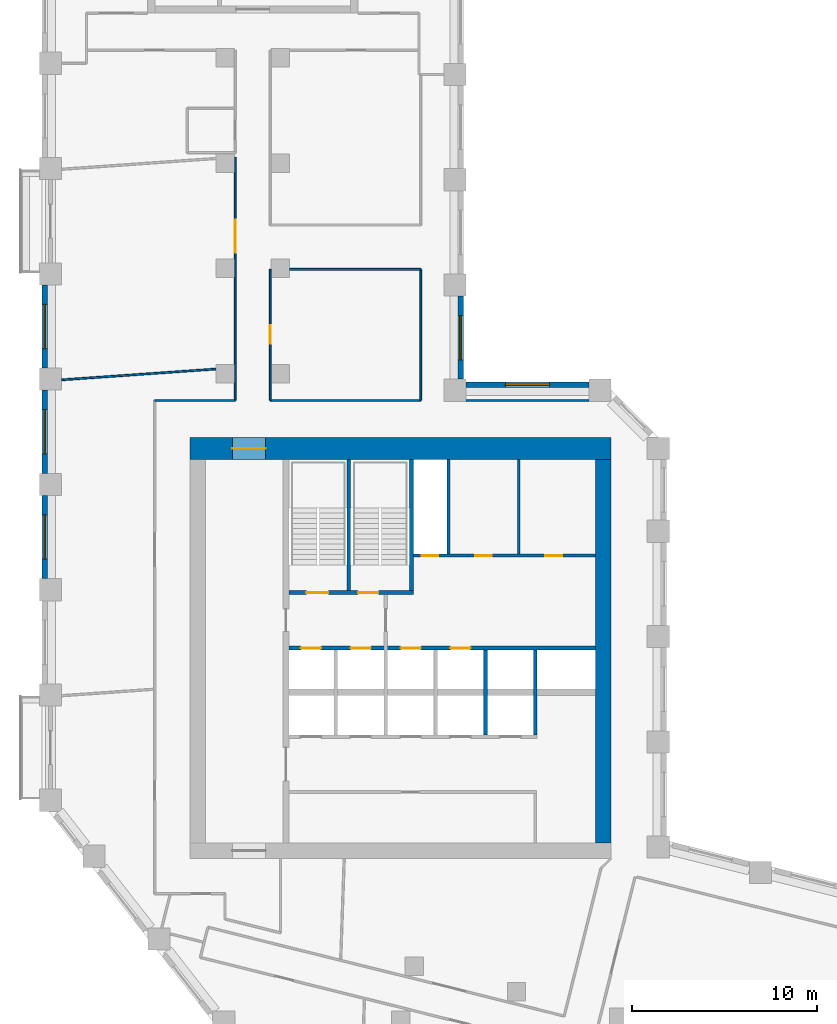
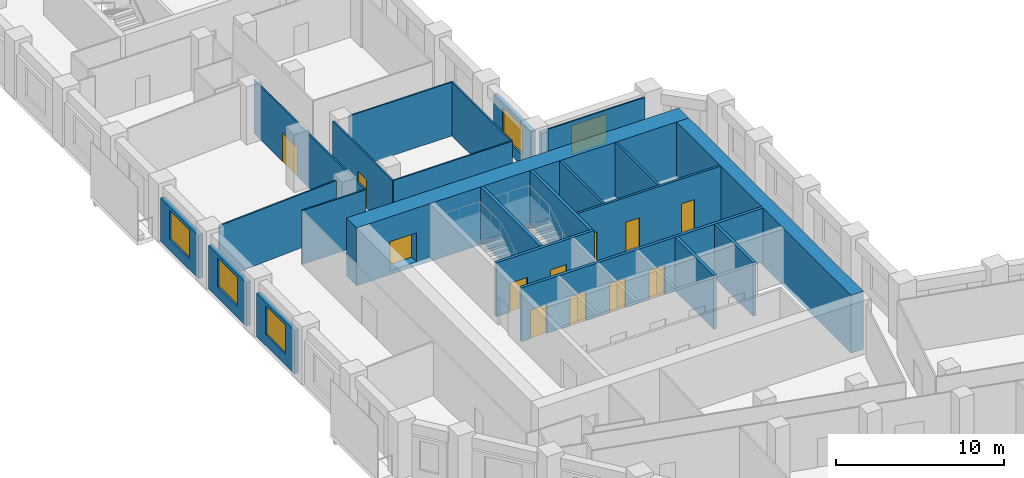
# One storey, part 5 of 10: 24 walls, 12 doors, 5 windows, 17 openings.
"""IFC4 building model written with IfcOpenShell, lengths in metres."""

from ifc_helpers import new_model, si_unit, direction, frame, frame_2d, origin, place, context, subcontext, project, spatial, rectangle, extrude, material, layer, layer_set, type_object, element, fill, save


model = new_model("IFC4")

# Units and contexts
model_context = context("Model", 3, precision=1e-05, world=origin(), true_north=direction((0.0, 1.0)))
body_context = subcontext(model_context, "Body", "Model", "MODEL_VIEW")
ifc_project = project(units=[si_unit("LENGTHUNIT", "METRE"), si_unit("AREAUNIT", "SQUARE_METRE"), si_unit("VOLUMEUNIT", "CUBIC_METRE"), si_unit("PLANEANGLEUNIT", "RADIAN"), si_unit("MASSUNIT", "GRAM", prefix="KILO")], contexts=[model_context])

# Site, building, storey
site_placement = place(None, origin())
site = spatial("IfcSite", under=ifc_project, at=site_placement, CompositionType="ELEMENT")
building_placement = place(site_placement, origin())
building = spatial("IfcBuilding", under=site, at=building_placement, Name="Meshkara Civic Tower", CompositionType="ELEMENT")
storey_placement = place(building_placement, frame((0.0, 0.0, 169.800048828125)))
storey = spatial("IfcBuildingStorey", under=building, at=storey_placement, Name="L38", CompositionType="ELEMENT", Elevation=169.800048828125)

# Wall, openings, doors
ifc_material_1 = material(Name="Blockwork", Category="masonry")
ifc_layer_1 = layer(ifc_material_1, 0.14990234375)
ifc_layer_set_1 = layer_set([ifc_layer_1], Name="Core partition 150")
wall_type_1 = type_object("IfcWallType", Name="Core partition 150", PredefinedType="PARTITIONING", material=ifc_layer_set_1)
wall_1_placement = place(storey_placement, frame((20.10009765625, 30.5, 0.0), z_axis=(0.0, 0.0, 1.0), x_axis=(1.0, 0.0, 0.0)))
wall_1 = element("IfcWall", 1, at=wall_1_placement, inside=storey, type_object=wall_type_1, Name="L38-C010", PredefinedType="PARTITIONING", context=body_context, shape_type="SweptSolid", body=[
    extrude(rectangle(XDim=9.849853515625, YDim=0.14990234375, at=frame_2d((4.9248046875, 0.0))), origin(), (0.0, 0.0, 1.0), 3.89990234375),
])
opening_1_placement = place(wall_1_placement, frame((0.449951171875, 0.0, 0.0)))
opening_1 = element("IfcOpeningElement", 2, at=opening_1_placement, cuts=wall_1, Name="Opening L38-K011", PredefinedType="OPENING", context=body_context, shape_type="SweptSolid", body=[
    extrude(rectangle(XDim=0.89990234375, YDim=2.10009765625, at=frame_2d((0.449951171875, 1.050048828125))), frame((0.0, 0.0849609375, 0.0), z_axis=(0.0, -1.0, 0.0), x_axis=(1.0, 0.0, 0.0)), (0.0, 0.0, 1.0), 0.169921875),
])
opening_2_placement = place(wall_1_placement, frame((3.35009765625, 0.0, 0.0)))
opening_2 = element("IfcOpeningElement", 3, at=opening_2_placement, cuts=wall_1, Name="Opening L38-K012", PredefinedType="OPENING", context=body_context, shape_type="SweptSolid", body=[
    extrude(rectangle(XDim=0.89990234375, YDim=2.10009765625, at=frame_2d((0.449951171875, 1.050048828125))), frame((0.0, 0.0849609375, 0.0), z_axis=(0.0, -1.0, 0.0), x_axis=(1.0, 0.0, 0.0)), (0.0, 0.0, 1.0), 0.169921875),
])
opening_3_placement = place(wall_1_placement, frame((7.14990234375, 0.0, 0.0)))
opening_3 = element("IfcOpeningElement", 4, at=opening_3_placement, cuts=wall_1, Name="Opening L38-K013", PredefinedType="OPENING", context=body_context, shape_type="SweptSolid", body=[
    extrude(rectangle(XDim=0.89990234375, YDim=2.10009765625, at=frame_2d((0.449951171875, 1.050048828125))), frame((0.0, 0.0849609375, 0.0), z_axis=(0.0, -1.0, 0.0), x_axis=(1.0, 0.0, 0.0)), (0.0, 0.0, 1.0), 0.169921875),
])
ifc_material_2 = material(Name="Timber door leaf in steel frame", Category="steel")
door_type_1 = type_object("IfcDoorType", Name="Core room door 900", OperationType="SINGLE_SWING_LEFT", PredefinedType="DOOR", material=ifc_material_2)
door_1_placement = place(opening_2_placement, origin())
door_1 = element("IfcDoor", 5, at=door_1_placement, inside=storey, type_object=door_type_1, Name="L38-K012", OperationType="SINGLE_SWING_RIGHT", OverallHeight=2.10009765625, OverallWidth=0.89990234375, PredefinedType="DOOR", context=body_context, shape_type="SweptSolid", body=[
    extrude(rectangle(XDim=0.89990234375, YDim=2.10009765625, at=frame_2d((0.449951171875, 1.050048828125))), frame((0.0, 0.02490234375, 0.0), z_axis=(0.0, -1.0, 0.0), x_axis=(1.0, 0.0, 0.0)), (0.0, 0.0, 1.0), 0.050048828125),
])
fill(opening_2, door_1)
ifc_material_3 = material(Name="Fire-rated door leaf in steel frame", Category="steel")
door_type_2 = type_object("IfcDoorType", Name="Riser door 900", OperationType="SINGLE_SWING_LEFT", PredefinedType="DOOR", material=ifc_material_3)
door_2_placement = place(opening_1_placement, origin())
door_2 = element("IfcDoor", 6, at=door_2_placement, inside=storey, type_object=door_type_2, Name="L38-K011", OperationType="SINGLE_SWING_RIGHT", OverallHeight=2.10009765625, OverallWidth=0.89990234375, PredefinedType="DOOR", context=body_context, shape_type="SweptSolid", body=[
    extrude(rectangle(XDim=0.89990234375, YDim=2.10009765625, at=frame_2d((0.449951171875, 1.050048828125))), frame((0.0, 0.02490234375, 0.0), z_axis=(0.0, -1.0, 0.0), x_axis=(1.0, 0.0, 0.0)), (0.0, 0.0, 1.0), 0.050048828125),
])
fill(opening_1, door_2)
ifc_material_4 = material(Name="Timber door leaf in steel frame", Category="steel")
door_type_3 = type_object("IfcDoorType", Name="WC door 900", OperationType="SINGLE_SWING_LEFT", PredefinedType="DOOR", material=ifc_material_4)
door_3_placement = place(opening_3_placement, origin())
door_3 = element("IfcDoor", 7, at=door_3_placement, inside=storey, type_object=door_type_3, Name="L38-K013", OperationType="SINGLE_SWING_LEFT", OverallHeight=2.10009765625, OverallWidth=0.89990234375, PredefinedType="DOOR", context=body_context, shape_type="SweptSolid", body=[
    extrude(rectangle(XDim=0.89990234375, YDim=2.10009765625, at=frame_2d((0.449951171875, 1.050048828125))), frame((0.0, 0.02490234375, 0.0), z_axis=(0.0, -1.0, 0.0), x_axis=(1.0, 0.0, 0.0)), (0.0, 0.0, 1.0), 0.050048828125),
])
fill(opening_3, door_3)

# Walls
for number, where, z_axis, x_axis, name in (
    (8, (22.0, 30.574951171875, 0.0), (0.0, 0.0, 1.0), (0.0, 1.0, 0.0), "L38-C017"),
    (9, (25.800048828125, 30.574951171875, 0.0), (0.0, 0.0, 1.0), (0.0, 1.0, 0.0), "L38-C019"),
):
    element("IfcWall", number, at=place(storey_placement, frame(where, z_axis=z_axis, x_axis=x_axis)), inside=storey, type_object=wall_type_1, Name=name, PredefinedType="PARTITIONING", context=body_context, shape_type="SweptSolid", body=[
        extrude(rectangle(XDim=5.125, YDim=0.14990234375, at=frame_2d((2.5625, 0.0))), origin(), (0.0, 0.0, 1.0), 3.89990234375),
    ])

# Wall, opening, door
ifc_material_5 = material(Name="Concrete C70", Category="concrete")
ifc_layer_2 = layer(ifc_material_5, 1.199951171875)
ifc_layer_set_2 = layer_set([ifc_layer_2], Name="Core ring wall 1200 C70")
wall_type_2 = type_object("IfcWallType", Name="Core ring wall 1200 C70", PredefinedType="SHEAR", material=ifc_layer_set_2)
wall_2_placement = place(storey_placement, frame((8.0, 36.300048828125, -0.300048828125), z_axis=(0.0, 0.0, 1.0), x_axis=(1.0, 0.0, 0.0)))
wall_2 = element("IfcWall", 10, at=wall_2_placement, inside=storey, type_object=wall_type_2, Name="L38-C002", PredefinedType="SHEAR", context=body_context, shape_type="SweptSolid", body=[
    extrude(rectangle(XDim=22.800048828125, YDim=1.199951171875, at=frame_2d((11.39990234375, 0.0))), origin(), (0.0, 0.0, 1.0), 4.199951171875),
])
opening_4_placement = place(wall_2_placement, frame((2.300048828125, 0.0, 0.300048828125)))
opening_4 = element("IfcOpeningElement", 11, at=opening_4_placement, cuts=wall_2, Name="Opening L38-K019", PredefinedType="OPENING", context=body_context, shape_type="SweptSolid", body=[
    extrude(rectangle(XDim=1.800048828125, YDim=2.10009765625, at=frame_2d((0.89990234375, 1.050048828125))), frame((0.0, 0.60986328125, 0.0), z_axis=(0.0, -1.0, 0.0), x_axis=(1.0, 0.0, 0.0)), (0.0, 0.0, 1.0), 1.219970703125),
])
ifc_material_6 = material(Name="Fire-rated door leaf in steel frame", Category="steel")
door_type_4 = type_object("IfcDoorType", Name="Core double door 1800 EI 60", OperationType="DOUBLE_DOOR_SINGLE_SWING", PredefinedType="DOOR", material=ifc_material_6)
door_4_placement = place(opening_4_placement, origin())
door_4 = element("IfcDoor", 12, at=door_4_placement, inside=storey, type_object=door_type_4, Name="L38-K019", OperationType="DOUBLE_DOOR_SINGLE_SWING", OverallHeight=2.10009765625, OverallWidth=1.800048828125, PredefinedType="DOOR", context=body_context, shape_type="SweptSolid", body=[
    extrude(rectangle(XDim=1.800048828125, YDim=2.10009765625, at=frame_2d((0.89990234375, 1.050048828125))), frame((0.0, 0.02490234375, 0.0), z_axis=(0.0, -1.0, 0.0), x_axis=(1.0, 0.0, 0.0)), (0.0, 0.0, 1.0), 0.050048828125),
])
fill(opening_4, door_4)

# Wall
ifc_material_7 = material(Name="Concrete C70", Category="concrete")
ifc_layer_3 = layer(ifc_material_7, 0.85009765625)
ifc_layer_set_3 = layer_set([ifc_layer_3], Name="Core ring wall 850 C70")
wall_type_3 = type_object("IfcWallType", Name="Core ring wall 850 C70", PredefinedType="SHEAR", material=ifc_layer_set_3)
wall_3_placement = place(storey_placement, frame((30.375, 14.949951171875, -0.300048828125), z_axis=(0.0, 0.0, 1.0), x_axis=(0.0, 1.0, 0.0)))
element("IfcWall", 13, at=wall_3_placement, inside=storey, type_object=wall_type_3, Name="L38-C004", PredefinedType="SHEAR", context=body_context, shape_type="SweptSolid", body=[
    extrude(rectangle(XDim=20.75, YDim=0.85009765625, at=frame_2d((10.375, 0.0))), origin(), (0.0, 0.0, 1.0), 4.199951171875),
])

# Wall, opening, door
ifc_material_8 = material(Name="Corridor wall 100")
ifc_layer_4 = layer(ifc_material_8, 0.10009765625)
ifc_layer_set_4 = layer_set([ifc_layer_4], Name="Corridor wall 100")
wall_type_4 = type_object("IfcWallType", Name="Corridor wall 100", PredefinedType="PARTITIONING", material=ifc_layer_set_4)
wall_4_placement = place(storey_placement, frame((10.449951171875, 38.89990234375, 0.0), z_axis=(0.0, 0.0, 1.0), x_axis=(0.0, 1.0, 0.0)))
wall_4 = element("IfcWall", 14, at=wall_4_placement, inside=storey, type_object=wall_type_4, Name="L38-W011", PredefinedType="PARTITIONING", context=body_context, shape_type="SweptSolid", body=[
    extrude(rectangle(XDim=13.174072265625, YDim=0.10009765625, at=frame_2d((6.5869140625, 0.0))), origin(), (0.0, 0.0, 1.0), 3.89990234375),
])
opening_5_placement = place(wall_4_placement, frame((7.993896484375, 0.0, 0.0)))
opening_5 = element("IfcOpeningElement", 15, at=opening_5_placement, cuts=wall_4, Name="Opening L38-D017", PredefinedType="OPENING", context=body_context, shape_type="SweptSolid", body=[
    extrude(rectangle(XDim=1.800048828125, YDim=2.10009765625, at=frame_2d((0.89990234375, 1.050048828125))), frame((0.0, 0.06005859375, 0.0), z_axis=(0.0, -1.0, 0.0), x_axis=(1.0, 0.0, 0.0)), (0.0, 0.0, 1.0), 0.1201171875),
])
ifc_material_9 = material(Name="Door pair 1800 x 2100")
door_type_5 = type_object("IfcDoorType", Name="Door pair 1800 x 2100", OperationType="SINGLE_SWING_LEFT", PredefinedType="DOOR", material=ifc_material_9)
door_5_placement = place(opening_5_placement, origin())
door_5 = element("IfcDoor", 16, at=door_5_placement, inside=storey, type_object=door_type_5, Name="L38-D017", OperationType="DOUBLE_DOOR_SINGLE_SWING", OverallHeight=2.10009765625, OverallWidth=1.800048828125, PredefinedType="DOOR", context=body_context, shape_type="SweptSolid", body=[
    extrude(rectangle(XDim=1.800048828125, YDim=2.10009765625, at=frame_2d((0.89990234375, 1.050048828125))), frame((0.0, 0.02490234375, 0.0), z_axis=(0.0, -1.0, 0.0), x_axis=(1.0, 0.0, 0.0)), (0.0, 0.0, 1.0), 0.050048828125),
])
fill(opening_5, door_5)

# Wall
wall_5_placement = place(storey_placement, frame((10.449951171875, 38.89990234375, 0.0), z_axis=(0.0, 0.0, 1.0), x_axis=(-1.0, 0.0, 0.0)))
element("IfcWall", 17, at=wall_5_placement, inside=storey, type_object=wall_type_4, Name="L38-W012", PredefinedType="PARTITIONING", context=body_context, shape_type="SweptSolid", body=[
    extrude(rectangle(XDim=4.349853515625, YDim=0.10009765625, at=frame_2d((2.1748046875, 0.0))), origin(), (0.0, 0.0, 1.0), 3.89990234375),
])

# Wall, opening, door
wall_6_placement = place(storey_placement, frame((12.35009765625, 38.89990234375, 0.0), z_axis=(0.0, 0.0, 1.0), x_axis=(0.0, 1.0, 0.0)))
wall_6 = element("IfcWall", 18, at=wall_6_placement, inside=storey, type_object=wall_type_4, Name="L38-W014", PredefinedType="PARTITIONING", context=body_context, shape_type="SweptSolid", body=[
    extrude(rectangle(XDim=7.09619140625, YDim=0.10009765625, at=frame_2d((3.548095703125, 0.0))), origin(), (0.0, 0.0, 1.0), 3.89990234375),
])
opening_6_placement = place(wall_6_placement, frame((3.080078125, 0.0, 0.0)))
opening_6 = element("IfcOpeningElement", 19, at=opening_6_placement, cuts=wall_6, Name="Opening L38-D018", PredefinedType="OPENING", context=body_context, shape_type="SweptSolid", body=[
    extrude(rectangle(XDim=1.0, YDim=2.10009765625, at=frame_2d((0.5, 1.050048828125))), frame((0.0, 0.06005859375, 0.0), z_axis=(0.0, -1.0, 0.0), x_axis=(1.0, 0.0, 0.0)), (0.0, 0.0, 1.0), 0.1201171875),
])
ifc_material_10 = material(Name="Door 1000 x 2100")
door_type_6 = type_object("IfcDoorType", Name="Door 1000 x 2100", OperationType="SINGLE_SWING_LEFT", PredefinedType="DOOR", material=ifc_material_10)
door_6_placement = place(opening_6_placement, origin())
door_6 = element("IfcDoor", 20, at=door_6_placement, inside=storey, type_object=door_type_6, Name="L38-D018", OperationType="SINGLE_SWING_LEFT", OverallHeight=2.10009765625, OverallWidth=1.0, PredefinedType="DOOR", context=body_context, shape_type="SweptSolid", body=[
    extrude(rectangle(XDim=1.0, YDim=2.10009765625, at=frame_2d((0.5, 1.050048828125))), frame((0.0, 0.02490234375, 0.0), z_axis=(0.0, -1.0, 0.0), x_axis=(1.0, 0.0, 0.0)), (0.0, 0.0, 1.0), 0.050048828125),
])
fill(opening_6, door_6)

# Walls
wall_7_placement = place(storey_placement, frame((13.39990234375, 46.0, 0.0), z_axis=(0.0, 0.0, 1.0), x_axis=(1.0, 0.0, 0.0)))
element("IfcWall", 21, at=wall_7_placement, inside=storey, type_object=wall_type_4, Name="L38-W017", PredefinedType="PARTITIONING", context=body_context, shape_type="SweptSolid", body=[
    extrude(rectangle(XDim=7.10009765625, YDim=0.10009765625, at=frame_2d((3.550048828125, 0.0))), origin(), (0.0, 0.0, 1.0), 3.89990234375),
])
wall_8_placement = place(storey_placement, frame((20.5, 38.89990234375, 0.0), z_axis=(0.0, 0.0, 1.0), x_axis=(-1.0, 0.0, 0.0)))
element("IfcWall", 22, at=wall_8_placement, inside=storey, type_object=wall_type_4, Name="L38-W021", PredefinedType="PARTITIONING", context=body_context, shape_type="SweptSolid", body=[
    extrude(rectangle(XDim=8.14990234375, YDim=0.10009765625, at=frame_2d((4.074951171875, 0.0))), origin(), (0.0, 0.0, 1.0), 3.89990234375),
])
wall_9_placement = place(storey_placement, frame((20.5, 46.0, 0.0), z_axis=(0.0, 0.0, 1.0), x_axis=(0.0, -1.0, 0.0)))
element("IfcWall", 23, at=wall_9_placement, inside=storey, type_object=wall_type_4, Name="L38-W022", PredefinedType="PARTITIONING", context=body_context, shape_type="SweptSolid", body=[
    extrude(rectangle(XDim=7.10009765625, YDim=0.10009765625, at=frame_2d((3.550048828125, 0.0))), origin(), (0.0, 0.0, 1.0), 3.89990234375),
])
wall_10_placement = place(storey_placement, frame((29.593994140625, 38.89990234375, 0.0), z_axis=(0.0, 0.0, 1.0), x_axis=(-1.0, 0.0, 0.0)))
element("IfcWall", 24, at=wall_10_placement, inside=storey, type_object=wall_type_4, Name="L38-W026", PredefinedType="PARTITIONING", context=body_context, shape_type="SweptSolid", body=[
    extrude(rectangle(XDim=6.64404296875, YDim=0.10009765625, at=frame_2d((3.322021484375, 0.0))), origin(), (0.0, 0.0, 1.0), 3.89990234375),
])

# Wall, opening, window
ifc_material_11 = material(Name="Insulated infill panel with bronze anodised aluminium cladding", Category="aluminium")
ifc_layer_5 = layer(ifc_material_11, 0.300048828125)
ifc_layer_set_5 = layer_set([ifc_layer_5], Name="EXTERNAL INFILL WALL 300")
wall_type_5 = type_object("IfcWallType", Name="EXTERNAL INFILL WALL 300", PredefinedType="SOLIDWALL", material=ifc_layer_set_5)
wall_11_placement = place(storey_placement, frame((29.593994140625, 39.75, 0.0), z_axis=(0.0, 0.0, 1.0), x_axis=(-1.0, 0.0, 0.0)))
wall_11 = element("IfcWall", 25, at=wall_11_placement, inside=storey, type_object=wall_type_5, Name="External wall", PredefinedType="SOLIDWALL", context=body_context, shape_type="SweptSolid", body=[
    extrude(rectangle(XDim=6.64404296875, YDim=0.300048828125, at=frame_2d((3.322021484375, 0.0))), origin(), (0.0, 0.0, 1.0), 3.14990234375),
])
opening_7_placement = place(wall_11_placement, frame((2.1220703125, 0.0, 0.800048828125)))
opening_7 = element("IfcOpeningElement", 26, at=opening_7_placement, cuts=wall_11, Name="Opening W7", PredefinedType="OPENING", context=body_context, shape_type="SweptSolid", body=[
    extrude(rectangle(XDim=2.39990234375, YDim=2.10009765625, at=frame_2d((1.199951171875, 1.050048828125))), frame((0.0, 0.159912109375, 0.0), z_axis=(0.0, -1.0, 0.0), x_axis=(1.0, 0.0, 0.0)), (0.0, 0.0, 1.0), 0.320068359375),
])
ifc_material_12 = material(Name="Tinted double glazing", Category="glass")
window_type = type_object("IfcWindowType", Name="WINDOW 2400x2100", PartitioningType="DOUBLE_PANEL_VERTICAL", PredefinedType="WINDOW", material=ifc_material_12)
window_1_placement = place(opening_7_placement, origin())
window_1 = element("IfcWindow", 27, at=window_1_placement, inside=storey, type_object=window_type, Name="Window", OverallHeight=2.10009765625, OverallWidth=2.39990234375, PartitioningType="DOUBLE_PANEL_VERTICAL", PredefinedType="WINDOW", context=body_context, shape_type="SweptSolid", body=[
    extrude(rectangle(XDim=2.39990234375, YDim=2.10009765625, at=frame_2d((1.199951171875, 1.050048828125))), frame((0.0, 0.030029296875, 0.0), z_axis=(0.0, -1.0, 0.0), x_axis=(1.0, 0.0, 0.0)), (0.0, 0.0, 1.0), 0.06005859375),
])
fill(opening_7, window_1)

wall_12_placement = place(storey_placement, frame((22.64990234375, 40.050048828125, 0.0), z_axis=(0.0, 0.0, 1.0), x_axis=(0.0, 1.0, 0.0)))
wall_12 = element("IfcWall", 28, at=wall_12_placement, inside=storey, type_object=wall_type_5, Name="External wall", PredefinedType="SOLIDWALL", context=body_context, shape_type="SweptSolid", body=[
    extrude(rectangle(XDim=4.5, YDim=0.300048828125, at=frame_2d((2.25, 0.0))), origin(), (0.0, 0.0, 1.0), 3.14990234375),
])
opening_8_placement = place(wall_12_placement, frame((1.050048828125, 0.0, 0.800048828125)))
opening_8 = element("IfcOpeningElement", 29, at=opening_8_placement, cuts=wall_12, Name="Opening W7", PredefinedType="OPENING", context=body_context, shape_type="SweptSolid", body=[
    extrude(rectangle(XDim=2.39990234375, YDim=2.10009765625, at=frame_2d((1.199951171875, 1.050048828125))), frame((0.0, 0.159912109375, 0.0), z_axis=(0.0, -1.0, 0.0), x_axis=(1.0, 0.0, 0.0)), (0.0, 0.0, 1.0), 0.320068359375),
])
window_2_placement = place(opening_8_placement, origin())
window_2 = element("IfcWindow", 30, at=window_2_placement, inside=storey, type_object=window_type, Name="Window", OverallHeight=2.10009765625, OverallWidth=2.39990234375, PartitioningType="DOUBLE_PANEL_VERTICAL", PredefinedType="WINDOW", context=body_context, shape_type="SweptSolid", body=[
    extrude(rectangle(XDim=2.39990234375, YDim=2.10009765625, at=frame_2d((1.199951171875, 1.050048828125))), frame((0.0, 0.030029296875, 0.0), z_axis=(0.0, -1.0, 0.0), x_axis=(1.0, 0.0, 0.0)), (0.0, 0.0, 1.0), 0.06005859375),
])
fill(opening_8, window_2)

wall_13_placement = place(storey_placement, frame((0.14990234375, 45.155029296875, 0.0), z_axis=(0.0, 0.0, 1.0), x_axis=(0.0, -1.0, 0.0)))
wall_13 = element("IfcWall", 31, at=wall_13_placement, inside=storey, type_object=wall_type_5, Name="External wall", PredefinedType="SOLIDWALL", context=body_context, shape_type="SweptSolid", body=[
    extrude(rectangle(XDim=4.5, YDim=0.300048828125, at=frame_2d((2.25, 0.0))), origin(), (0.0, 0.0, 1.0), 3.14990234375),
])
opening_9_placement = place(wall_13_placement, frame((1.050048828125, 0.0, 0.800048828125)))
opening_9 = element("IfcOpeningElement", 32, at=opening_9_placement, cuts=wall_13, Name="Opening W7", PredefinedType="OPENING", context=body_context, shape_type="SweptSolid", body=[
    extrude(rectangle(XDim=2.39990234375, YDim=2.10009765625, at=frame_2d((1.199951171875, 1.050048828125))), frame((0.0, 0.159912109375, 0.0), z_axis=(0.0, -1.0, 0.0), x_axis=(1.0, 0.0, 0.0)), (0.0, 0.0, 1.0), 0.320068359375),
])
window_3_placement = place(opening_9_placement, origin())
window_3 = element("IfcWindow", 33, at=window_3_placement, inside=storey, type_object=window_type, Name="Window", OverallHeight=2.10009765625, OverallWidth=2.39990234375, PartitioningType="DOUBLE_PANEL_VERTICAL", PredefinedType="WINDOW", context=body_context, shape_type="SweptSolid", body=[
    extrude(rectangle(XDim=2.39990234375, YDim=2.10009765625, at=frame_2d((1.199951171875, 1.050048828125))), frame((0.0, 0.030029296875, 0.0), z_axis=(0.0, -1.0, 0.0), x_axis=(1.0, 0.0, 0.0)), (0.0, 0.0, 1.0), 0.06005859375),
])
fill(opening_9, window_3)

wall_14_placement = place(storey_placement, frame((0.14990234375, 39.455078125, 0.0), z_axis=(0.0, 0.0, 1.0), x_axis=(0.0, -1.0, 0.0)))
wall_14 = element("IfcWall", 34, at=wall_14_placement, inside=storey, type_object=wall_type_5, Name="External wall", PredefinedType="SOLIDWALL", context=body_context, shape_type="SweptSolid", body=[
    extrude(rectangle(XDim=4.5, YDim=0.300048828125, at=frame_2d((2.25, 0.0))), origin(), (0.0, 0.0, 1.0), 3.14990234375),
])
opening_10_placement = place(wall_14_placement, frame((1.050048828125, 0.0, 0.800048828125)))
opening_10 = element("IfcOpeningElement", 35, at=opening_10_placement, cuts=wall_14, Name="Opening W7", PredefinedType="OPENING", context=body_context, shape_type="SweptSolid", body=[
    extrude(rectangle(XDim=2.39990234375, YDim=2.10009765625, at=frame_2d((1.199951171875, 1.050048828125))), frame((0.0, 0.159912109375, 0.0), z_axis=(0.0, -1.0, 0.0), x_axis=(1.0, 0.0, 0.0)), (0.0, 0.0, 1.0), 0.320068359375),
])
window_4_placement = place(opening_10_placement, origin())
window_4 = element("IfcWindow", 36, at=window_4_placement, inside=storey, type_object=window_type, Name="Window", OverallHeight=2.10009765625, OverallWidth=2.39990234375, PartitioningType="DOUBLE_PANEL_VERTICAL", PredefinedType="WINDOW", context=body_context, shape_type="SweptSolid", body=[
    extrude(rectangle(XDim=2.39990234375, YDim=2.10009765625, at=frame_2d((1.199951171875, 1.050048828125))), frame((0.0, 0.030029296875, 0.0), z_axis=(0.0, -1.0, 0.0), x_axis=(1.0, 0.0, 0.0)), (0.0, 0.0, 1.0), 0.06005859375),
])
fill(opening_10, window_4)

wall_15_placement = place(storey_placement, frame((0.14990234375, 33.7548828125, 0.0), z_axis=(0.0, 0.0, 1.0), x_axis=(0.0, -1.0, 0.0)))
wall_15 = element("IfcWall", 37, at=wall_15_placement, inside=storey, type_object=wall_type_5, Name="External wall", PredefinedType="SOLIDWALL", context=body_context, shape_type="SweptSolid", body=[
    extrude(rectangle(XDim=4.5, YDim=0.300048828125, at=frame_2d((2.25, 0.0))), origin(), (0.0, 0.0, 1.0), 3.14990234375),
])
opening_11_placement = place(wall_15_placement, frame((1.050048828125, 0.0, 0.800048828125)))
opening_11 = element("IfcOpeningElement", 38, at=opening_11_placement, cuts=wall_15, Name="Opening W7", PredefinedType="OPENING", context=body_context, shape_type="SweptSolid", body=[
    extrude(rectangle(XDim=2.39990234375, YDim=2.10009765625, at=frame_2d((1.199951171875, 1.050048828125))), frame((0.0, 0.159912109375, 0.0), z_axis=(0.0, -1.0, 0.0), x_axis=(1.0, 0.0, 0.0)), (0.0, 0.0, 1.0), 0.320068359375),
])
window_5_placement = place(opening_11_placement, origin())
window_5 = element("IfcWindow", 39, at=window_5_placement, inside=storey, type_object=window_type, Name="Window", OverallHeight=2.10009765625, OverallWidth=2.39990234375, PartitioningType="DOUBLE_PANEL_VERTICAL", PredefinedType="WINDOW", context=body_context, shape_type="SweptSolid", body=[
    extrude(rectangle(XDim=2.39990234375, YDim=2.10009765625, at=frame_2d((1.199951171875, 1.050048828125))), frame((0.0, 0.030029296875, 0.0), z_axis=(0.0, -1.0, 0.0), x_axis=(1.0, 0.0, 0.0)), (0.0, 0.0, 1.0), 0.06005859375),
])
fill(opening_11, window_5)

# Wall
ifc_material_13 = material(Name="Partition 100")
ifc_layer_6 = layer(ifc_material_13, 0.10009765625)
ifc_layer_set_6 = layer_set([ifc_layer_6], Name="Partition 100")
wall_type_6 = type_object("IfcWallType", Name="Partition 100", PredefinedType="PARTITIONING", material=ifc_layer_set_6)
wall_16_placement = place(storey_placement, frame((9.39990234375, 40.60107421875, 0.0), z_axis=(0.0, 0.0, 1.0), x_axis=(-0.997555044264, -0.069885146225, 0.0)))
element("IfcWall", 40, at=wall_16_placement, inside=storey, type_object=wall_type_6, Name="L38-W046", PredefinedType="PARTITIONING", context=body_context, shape_type="SweptSolid", body=[
    extrude(rectangle(XDim=8.370361328125, YDim=0.10009765625, at=frame_2d((4.18505859375, 0.0))), origin(), (0.0, 0.0, 1.0), 3.89990234375),
])

# Wall, openings, doors
ifc_material_14 = material(Name="Concrete C40/50", Category="concrete")
ifc_layer_7 = layer(ifc_material_14, 0.199951171875)
ifc_layer_set_7 = layer_set([ifc_layer_7], Name="Shaft wall 200 C40/50")
wall_type_7 = type_object("IfcWallType", Name="Shaft wall 200 C40/50", PredefinedType="SOLIDWALL", material=ifc_layer_set_7)
wall_17_placement = place(storey_placement, frame((13.3701171875, 25.5, 0.0), z_axis=(0.0, 0.0, 1.0), x_axis=(1.0, 0.0, 0.0)))
wall_17 = element("IfcWall", 41, at=wall_17_placement, inside=storey, type_object=wall_type_7, Name="L38-C008", PredefinedType="SOLIDWALL", context=body_context, shape_type="SweptSolid", body=[
    extrude(rectangle(XDim=16.579833984375, YDim=0.199951171875, at=frame_2d((8.2900390625, 0.0))), origin(), (0.0, 0.0, 1.0), 3.89990234375),
])
opening_12_placement = place(wall_17_placement, frame((0.6298828125, 0.0, 0.0)))
opening_12 = element("IfcOpeningElement", 42, at=opening_12_placement, cuts=wall_17, Name="Opening L38-K006", PredefinedType="OPENING", context=body_context, shape_type="SweptSolid", body=[
    extrude(rectangle(XDim=1.10009765625, YDim=2.10009765625, at=frame_2d((0.550048828125, 1.050048828125))), frame((0.0, 0.10986328125, 0.0), z_axis=(0.0, -1.0, 0.0), x_axis=(1.0, 0.0, 0.0)), (0.0, 0.0, 1.0), 0.219970703125),
])
opening_13_placement = place(wall_17_placement, frame((3.330078125, 0.0, 0.0)))
opening_13 = element("IfcOpeningElement", 43, at=opening_13_placement, cuts=wall_17, Name="Opening L38-K007", PredefinedType="OPENING", context=body_context, shape_type="SweptSolid", body=[
    extrude(rectangle(XDim=1.10009765625, YDim=2.10009765625, at=frame_2d((0.550048828125, 1.050048828125))), frame((0.0, 0.10986328125, 0.0), z_axis=(0.0, -1.0, 0.0), x_axis=(1.0, 0.0, 0.0)), (0.0, 0.0, 1.0), 0.219970703125),
])
opening_14_placement = place(wall_17_placement, frame((6.030029296875, 0.0, 0.0)))
opening_14 = element("IfcOpeningElement", 44, at=opening_14_placement, cuts=wall_17, Name="Opening L38-K008", PredefinedType="OPENING", context=body_context, shape_type="SweptSolid", body=[
    extrude(rectangle(XDim=1.10009765625, YDim=2.10009765625, at=frame_2d((0.550048828125, 1.050048828125))), frame((0.0, 0.10986328125, 0.0), z_axis=(0.0, -1.0, 0.0), x_axis=(1.0, 0.0, 0.0)), (0.0, 0.0, 1.0), 0.219970703125),
])
opening_15_placement = place(wall_17_placement, frame((8.72998046875, 0.0, 0.0)))
opening_15 = element("IfcOpeningElement", 45, at=opening_15_placement, cuts=wall_17, Name="Opening L38-K009", PredefinedType="OPENING", context=body_context, shape_type="SweptSolid", body=[
    extrude(rectangle(XDim=1.10009765625, YDim=2.10009765625, at=frame_2d((0.550048828125, 1.050048828125))), frame((0.0, 0.10986328125, 0.0), z_axis=(0.0, -1.0, 0.0), x_axis=(1.0, 0.0, 0.0)), (0.0, 0.0, 1.0), 0.219970703125),
])
ifc_material_15 = material(Name="Stainless steel landing door", Category="steel")
door_type_7 = type_object("IfcDoorType", Name="Lift landing door 1100", OperationType="SLIDING_TO_LEFT", PredefinedType="DOOR", material=ifc_material_15)
door_7_placement = place(opening_12_placement, origin())
door_7 = element("IfcDoor", 46, at=door_7_placement, inside=storey, type_object=door_type_7, Name="L38-K006", OperationType="SLIDING_TO_LEFT", OverallHeight=2.10009765625, OverallWidth=1.10009765625, PredefinedType="DOOR", context=body_context, shape_type="SweptSolid", body=[
    extrude(rectangle(XDim=1.10009765625, YDim=2.10009765625, at=frame_2d((0.550048828125, 1.050048828125))), frame((0.0, 0.02490234375, 0.0), z_axis=(0.0, -1.0, 0.0), x_axis=(1.0, 0.0, 0.0)), (0.0, 0.0, 1.0), 0.050048828125),
])
fill(opening_12, door_7)
door_8_placement = place(opening_13_placement, origin())
door_8 = element("IfcDoor", 47, at=door_8_placement, inside=storey, type_object=door_type_7, Name="L38-K007", OperationType="SLIDING_TO_LEFT", OverallHeight=2.10009765625, OverallWidth=1.10009765625, PredefinedType="DOOR", context=body_context, shape_type="SweptSolid", body=[
    extrude(rectangle(XDim=1.10009765625, YDim=2.10009765625, at=frame_2d((0.550048828125, 1.050048828125))), frame((0.0, 0.02490234375, 0.0), z_axis=(0.0, -1.0, 0.0), x_axis=(1.0, 0.0, 0.0)), (0.0, 0.0, 1.0), 0.050048828125),
])
fill(opening_13, door_8)
door_9_placement = place(opening_14_placement, origin())
door_9 = element("IfcDoor", 48, at=door_9_placement, inside=storey, type_object=door_type_7, Name="L38-K008", OperationType="SLIDING_TO_LEFT", OverallHeight=2.10009765625, OverallWidth=1.10009765625, PredefinedType="DOOR", context=body_context, shape_type="SweptSolid", body=[
    extrude(rectangle(XDim=1.10009765625, YDim=2.10009765625, at=frame_2d((0.550048828125, 1.050048828125))), frame((0.0, 0.02490234375, 0.0), z_axis=(0.0, -1.0, 0.0), x_axis=(1.0, 0.0, 0.0)), (0.0, 0.0, 1.0), 0.050048828125),
])
fill(opening_14, door_9)
door_10_placement = place(opening_15_placement, origin())
door_10 = element("IfcDoor", 49, at=door_10_placement, inside=storey, type_object=door_type_7, Name="L38-K009", OperationType="SLIDING_TO_LEFT", OverallHeight=2.10009765625, OverallWidth=1.10009765625, PredefinedType="DOOR", context=body_context, shape_type="SweptSolid", body=[
    extrude(rectangle(XDim=1.10009765625, YDim=2.10009765625, at=frame_2d((0.550048828125, 1.050048828125))), frame((0.0, 0.02490234375, 0.0), z_axis=(0.0, -1.0, 0.0), x_axis=(1.0, 0.0, 0.0)), (0.0, 0.0, 1.0), 0.050048828125),
])
fill(opening_15, door_10)

# Walls
for number, where, z_axis, x_axis, name in (
    (50, (24.0, 20.800048828125, 0.0), (0.0, 0.0, 1.0), (0.0, 1.0, 0.0), "L38-C018"),
    (51, (26.699951171875, 20.800048828125, 0.0), (0.0, 0.0, 1.0), (0.0, 1.0, 0.0), "L38-C021"),
):
    element("IfcWall", number, at=place(storey_placement, frame(where, z_axis=z_axis, x_axis=x_axis)), inside=storey, type_object=wall_type_7, Name=name, PredefinedType="SOLIDWALL", context=body_context, shape_type="SweptSolid", body=[
        extrude(rectangle(XDim=4.599853515625, YDim=0.199951171875, at=frame_2d((2.2998046875, 0.0))), origin(), (0.0, 0.0, 1.0), 3.89990234375),
    ])

# Wall, openings, doors
ifc_material_16 = material(Name="Concrete C40/50", Category="concrete")
ifc_layer_8 = layer(ifc_material_16, 0.199951171875)
ifc_layer_set_8 = layer_set([ifc_layer_8], Name="Stair enclosure wall 200 C40/50")
wall_type_8 = type_object("IfcWallType", Name="Stair enclosure wall 200 C40/50", PredefinedType="SOLIDWALL", material=ifc_layer_set_8)
wall_18_placement = place(storey_placement, frame((13.3701171875, 28.5, 0.0), z_axis=(0.0, 0.0, 1.0), x_axis=(1.0, 0.0, 0.0)))
wall_18 = element("IfcWall", 52, at=wall_18_placement, inside=storey, type_object=wall_type_8, Name="L38-C009", PredefinedType="SOLIDWALL", context=body_context, shape_type="SweptSolid", body=[
    extrude(rectangle(XDim=6.72998046875, YDim=0.199951171875, at=frame_2d((3.364990234375, 0.0))), origin(), (0.0, 0.0, 1.0), 3.89990234375),
])
opening_16_placement = place(wall_18_placement, frame((0.929931640625, 0.0, 0.0)))
opening_16 = element("IfcOpeningElement", 53, at=opening_16_placement, cuts=wall_18, Name="Opening L38-K014", PredefinedType="OPENING", context=body_context, shape_type="SweptSolid", body=[
    extrude(rectangle(XDim=1.199951171875, YDim=2.10009765625, at=frame_2d((0.60009765625, 1.050048828125))), frame((0.0, 0.10986328125, 0.0), z_axis=(0.0, -1.0, 0.0), x_axis=(1.0, 0.0, 0.0)), (0.0, 0.0, 1.0), 0.219970703125),
])
opening_17_placement = place(wall_18_placement, frame((3.72998046875, 0.0, 0.0)))
opening_17 = element("IfcOpeningElement", 54, at=opening_17_placement, cuts=wall_18, Name="Opening L38-K015", PredefinedType="OPENING", context=body_context, shape_type="SweptSolid", body=[
    extrude(rectangle(XDim=1.10009765625, YDim=2.10009765625, at=frame_2d((0.550048828125, 1.050048828125))), frame((0.0, 0.10986328125, 0.0), z_axis=(0.0, -1.0, 0.0), x_axis=(1.0, 0.0, 0.0)), (0.0, 0.0, 1.0), 0.219970703125),
])
ifc_material_17 = material(Name="Fire-rated door leaf in steel frame", Category="steel")
door_type_8 = type_object("IfcDoorType", Name="Stair door 1100 EI 120", OperationType="SINGLE_SWING_LEFT", PredefinedType="DOOR", material=ifc_material_17)
door_11_placement = place(opening_17_placement, origin())
door_11 = element("IfcDoor", 55, at=door_11_placement, inside=storey, type_object=door_type_8, Name="L38-K015", OperationType="SINGLE_SWING_LEFT", OverallHeight=2.10009765625, OverallWidth=1.10009765625, PredefinedType="DOOR", context=body_context, shape_type="SweptSolid", body=[
    extrude(rectangle(XDim=1.10009765625, YDim=2.10009765625, at=frame_2d((0.550048828125, 1.050048828125))), frame((0.0, 0.02490234375, 0.0), z_axis=(0.0, -1.0, 0.0), x_axis=(1.0, 0.0, 0.0)), (0.0, 0.0, 1.0), 0.050048828125),
])
fill(opening_17, door_11)
ifc_material_18 = material(Name="Fire-rated door leaf in steel frame", Category="steel")
door_type_9 = type_object("IfcDoorType", Name="Stair door 1200 EI 120", OperationType="SINGLE_SWING_LEFT", PredefinedType="DOOR", material=ifc_material_18)
door_12_placement = place(opening_16_placement, origin())
door_12 = element("IfcDoor", 56, at=door_12_placement, inside=storey, type_object=door_type_9, Name="L38-K014", OperationType="SINGLE_SWING_RIGHT", OverallHeight=2.10009765625, OverallWidth=1.199951171875, PredefinedType="DOOR", context=body_context, shape_type="SweptSolid", body=[
    extrude(rectangle(XDim=1.199951171875, YDim=2.10009765625, at=frame_2d((0.60009765625, 1.050048828125))), frame((0.0, 0.02490234375, 0.0), z_axis=(0.0, -1.0, 0.0), x_axis=(1.0, 0.0, 0.0)), (0.0, 0.0, 1.0), 0.050048828125),
])
fill(opening_16, door_12)

# Walls
for number, where, z_axis, x_axis, name in (
    (57, (16.60009765625, 28.60009765625, 0.0), (0.0, 0.0, 1.0), (0.0, 1.0, 0.0), "L38-C013"),
    (58, (20.0, 28.60009765625, 0.0), (0.0, 0.0, 1.0), (0.0, 1.0, 0.0), "L38-C015"),
):
    element("IfcWall", number, at=place(storey_placement, frame(where, z_axis=z_axis, x_axis=x_axis)), inside=storey, type_object=wall_type_8, Name=name, PredefinedType="SOLIDWALL", context=body_context, shape_type="SweptSolid", body=[
        extrude(rectangle(XDim=7.099853515625, YDim=0.199951171875, at=frame_2d((3.5498046875, 0.0))), origin(), (0.0, 0.0, 1.0), 3.89990234375),
    ])

save(model, "model.ifc")
